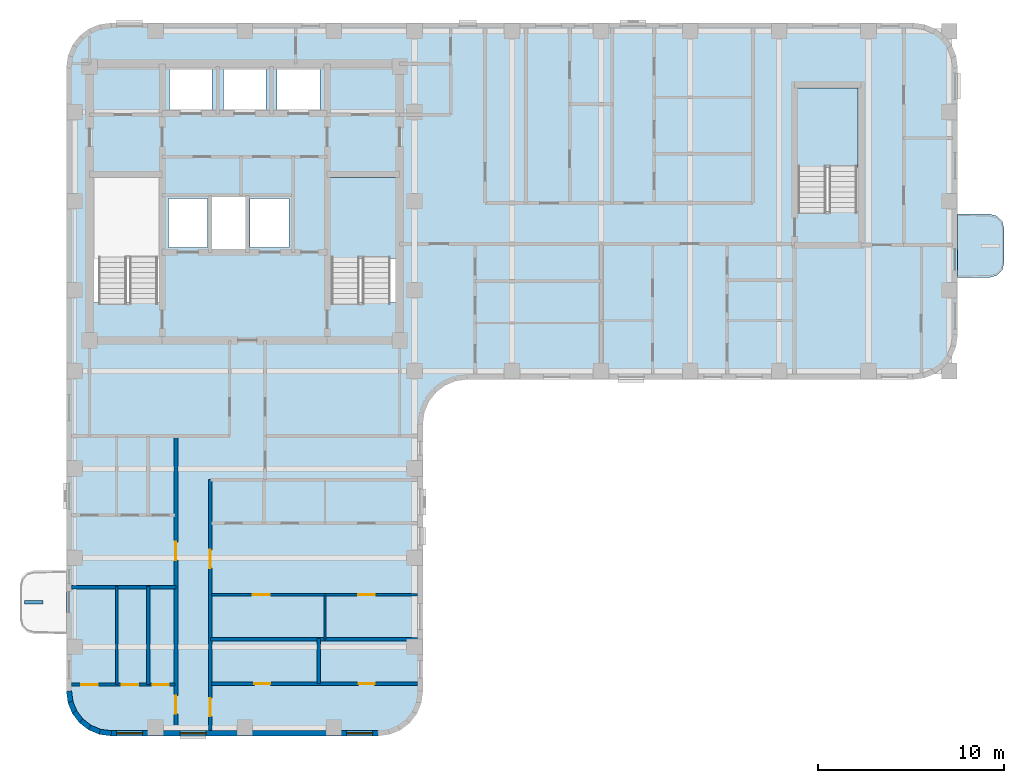
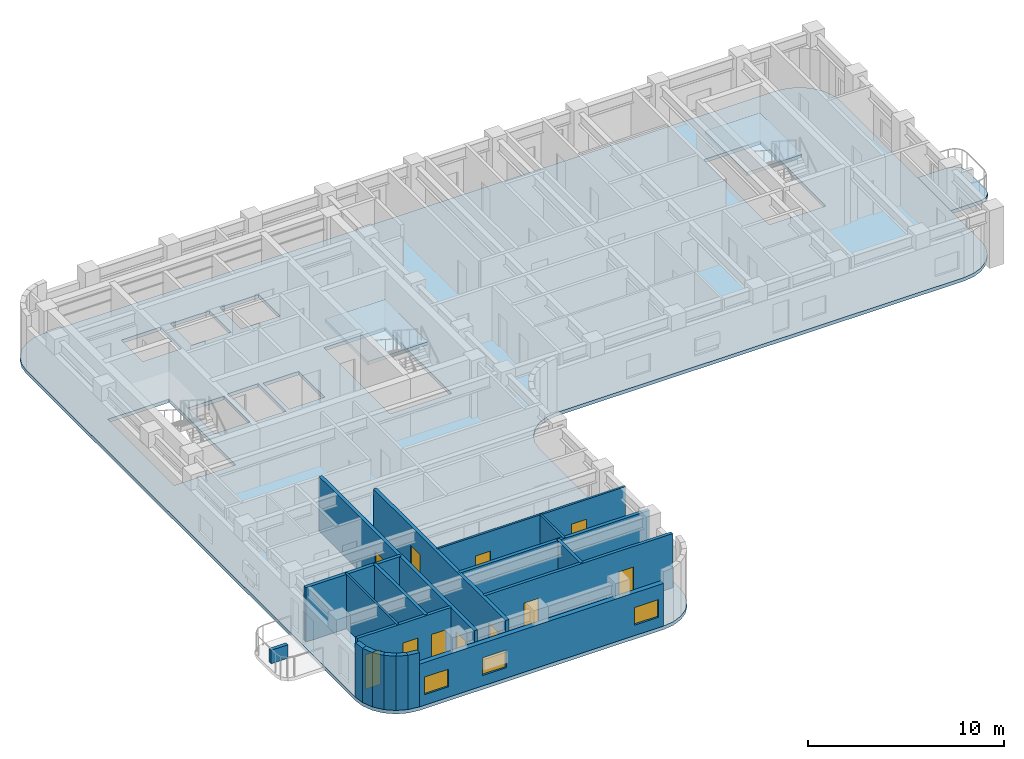
# One storey, part 2 of 10: 19 walls, 11 doors, 4 slabs, 3 windows, 14 openings, 2 elements without a shape of their own.
"""IFC4 building model written with IfcOpenShell, lengths in metres."""

from ifc_helpers import new_model, si_unit, direction, frame, frame_2d, origin, place, context, subcontext, project, spatial, polyline, rectangle, outline, extrude, material, layer, layer_set, type_object, element, fill, aggregate, save


model = new_model("IFC4")

# Units and contexts
model_context = context("Model", 3, precision=1e-05, world=origin(), true_north=direction((0.0, 1.0)))
body_context = subcontext(model_context, "Body", "Model", "MODEL_VIEW")
ifc_project = project(units=[si_unit("LENGTHUNIT", "METRE"), si_unit("AREAUNIT", "SQUARE_METRE"), si_unit("VOLUMEUNIT", "CUBIC_METRE"), si_unit("PLANEANGLEUNIT", "RADIAN"), si_unit("MASSUNIT", "GRAM", prefix="KILO")], contexts=[model_context])

# Site, building, storey
site_placement = place(None, origin())
site = spatial("IfcSite", under=ifc_project, at=site_placement, CompositionType="ELEMENT")
building_placement = place(site_placement, origin())
building = spatial("IfcBuilding", under=site, at=building_placement, Name="Orvandelia Arch Residences", CompositionType="ELEMENT")
storey_placement = place(building_placement, frame((0.0, 0.0, 225.39990234375)))
storey = spatial("IfcBuildingStorey", under=building, at=storey_placement, Name="L59", CompositionType="ELEMENT", Elevation=225.39990234375)

# Slab
ifc_material_1 = material(Name="Precast concrete C40/50", Category="concrete")
ifc_layer_1 = layer(ifc_material_1, 0.219970703125, Name="Precast concrete C40/50", Category="concrete")
ifc_layer_set_1 = layer_set([ifc_layer_1], Name="Precast concrete C40/50")
slab_type_1 = type_object("IfcSlabType", Name="SLB-BAL-220", PredefinedType="USERDEFINED", material=ifc_layer_set_1)
slab_1_placement = place(storey_placement, frame((0.0, 0.0, -0.219970703125)))
element("IfcSlab", 1, at=slab_1_placement, inside=storey, type_object=slab_type_1, Name="Tree Balcony Cantilever Slab BAL-L59-E1", ObjectType="BALCONY", PredefinedType="USERDEFINED", context=body_context, shape_type="SweptSolid", body=[
    extrude(outline(polyline([(52.800048828125, 37.699951171875), (52.800048828125, 34.300048828125), (54.550048828125, 34.300048828125), (54.925048828125, 34.400390625), (55.199462890625, 34.675048828125), (55.300048828125, 35.050048828125), (55.300048828125, 36.949951171875), (55.199462890625, 37.324951171875), (54.925048828125, 37.599609375), (54.550048828125, 37.699951171875), (52.800048828125, 37.699951171875)])), origin(), (0.0, 0.0, 1.0), 0.219970703125),
])

# Stair, slab
ifc_material_2 = material(Name="Concrete C40/50", Category="concrete")
stair_type = type_object("IfcStairType", Name="STAIR-RC-DOGLEG", PredefinedType="HALF_TURN_STAIR", material=ifc_material_2)
stair_1_placement = place(storey_placement, origin())
stair_1 = element("IfcStair", 2, at=stair_1_placement, inside=storey, type_object=stair_type, Name="L59 Protected Exit Stair ST-2", PredefinedType="HALF_TURN_STAIR")
ifc_layer_2 = layer(ifc_material_2, 0.219970703125, Name="Concrete C40/50", Category="concrete")
ifc_layer_set_2 = layer_set([ifc_layer_2], Name="Concrete C40/50")
slab_type_2 = type_object("IfcSlabType", Name="SLB-LANDING-220", PredefinedType="LANDING", material=ifc_layer_set_2)
slab_2_placement = place(storey_placement, frame((0.0, 0.0, 1.60009765625)))
slab_2 = element("IfcSlab", 3, at=slab_2_placement, type_object=slab_type_2, Name="ST-2 landing 1", PredefinedType="LANDING", context=body_context, shape_type="SweptSolid", body=[
    extrude(outline(polyline([(22.5400390625, 35.31005859375), (22.5400390625, 39.68994140625), (19.0, 39.68994140625), (19.0, 35.31005859375), (22.5400390625, 35.31005859375)])), origin(), (0.0, 0.0, 1.0), 0.199951171875),
])
aggregate(stair_1, [slab_2])

stair_2_placement = place(storey_placement, origin())
stair_2 = element("IfcStair", 4, at=stair_2_placement, inside=storey, type_object=stair_type, Name="L59 East Wing Exit Stair ST-3", PredefinedType="HALF_TURN_STAIR")
slab_3_placement = place(storey_placement, frame((0.0, 0.0, 1.60009765625)))
slab_3 = element("IfcSlab", 5, at=slab_3_placement, type_object=slab_type_2, Name="ST-3 landing 1", PredefinedType="LANDING", context=body_context, shape_type="SweptSolid", body=[
    extrude(outline(polyline([(47.43994140625, 40.2099609375), (47.43994140625, 44.5), (44.179931640625, 44.5), (44.179931640625, 40.2099609375), (47.43994140625, 40.2099609375)])), origin(), (0.0, 0.0, 1.0), 0.199951171875),
])
aggregate(stair_2, [slab_3])

# Slab
ifc_layer_3 = layer(ifc_material_2, 0.219970703125, Name="Concrete C40/50", Category="concrete")
ifc_layer_set_3 = layer_set([ifc_layer_3], Name="Concrete C40/50")
slab_type_3 = type_object("IfcSlabType", Name="SLB-TWR-220", PredefinedType="FLOOR", material=ifc_layer_set_3)
slab_4_placement = place(storey_placement, frame((0.0, 0.0, -0.219970703125)))
element("IfcSlab", 6, at=slab_4_placement, inside=storey, type_object=slab_type_3, Name="Structural Floor Slab L59-1", PredefinedType="FLOOR", context=body_context, shape_type="SweptSolid", body=[
    extrude(outline(polyline([(4.800048828125, 12.0), (4.8818359375, 11.37890625), (5.12158203125, 10.800048828125), (5.5029296875, 10.302978515625), (6.0, 9.92138671875), (6.578857421875, 9.681884765625), (7.199951171875, 9.60009765625), (21.60009765625, 9.60009765625), (22.22119140625, 9.681884765625), (22.800048828125, 9.92138671875), (23.297119140625, 10.302978515625), (23.678466796875, 10.800048828125), (23.918212890625, 11.37890625), (24.0, 12.0), (24.0, 26.39990234375), (24.081787109375, 27.021240234375), (24.321533203125, 27.60009765625), (24.702880859375, 28.09716796875), (25.199951171875, 28.478515625), (25.77880859375, 28.71826171875), (26.39990234375, 28.800048828125), (50.39990234375, 28.800048828125), (51.021240234375, 28.8818359375), (51.60009765625, 29.12158203125), (52.09716796875, 29.5029296875), (52.478515625, 30.0), (52.71826171875, 30.578857421875), (52.800048828125, 31.199951171875), (52.800048828125, 45.60009765625), (52.71826171875, 46.22119140625), (52.478515625, 46.800048828125), (52.09716796875, 47.297119140625), (51.60009765625, 47.678466796875), (51.021240234375, 47.918212890625), (50.39990234375, 48.0), (7.199951171875, 48.0), (6.578857421875, 47.918212890625), (6.0, 47.678466796875), (5.5029296875, 47.297119140625), (5.12158203125, 46.800048828125), (4.8818359375, 46.22119140625), (4.800048828125, 45.60009765625), (4.800048828125, 12.0)]), holes=[polyline([(6.219970703125, 32.949951171875), (9.840087890625, 32.949951171875), (9.840087890625, 39.72998046875), (6.219970703125, 39.72998046875), (6.219970703125, 32.949951171875)]), polyline([(18.9599609375, 32.949951171875), (22.580078125, 32.949951171875), (22.580078125, 39.72998046875), (18.9599609375, 39.72998046875), (18.9599609375, 32.949951171875)]), polyline([(44.139892578125, 37.85009765625), (47.47998046875, 37.85009765625), (47.47998046875, 44.5400390625), (44.139892578125, 44.5400390625), (44.139892578125, 37.85009765625)]), polyline([(12.639892578125, 35.81005859375), (14.4599609375, 35.81005859375), (14.4599609375, 38.639892578125), (12.639892578125, 38.639892578125), (12.639892578125, 35.81005859375)]), polyline([(10.300048828125, 35.89990234375), (12.39990234375, 35.89990234375), (12.39990234375, 38.550048828125), (10.300048828125, 38.550048828125), (10.300048828125, 35.89990234375)]), polyline([(14.699951171875, 35.89990234375), (16.800048828125, 35.89990234375), (16.800048828125, 38.550048828125), (14.699951171875, 38.550048828125), (14.699951171875, 35.89990234375)]), polyline([(10.35009765625, 43.300048828125), (12.64990234375, 43.300048828125), (12.64990234375, 45.5), (10.35009765625, 45.5), (10.35009765625, 43.300048828125)]), polyline([(13.25, 43.300048828125), (15.550048828125, 43.300048828125), (15.550048828125, 45.5), (13.25, 45.5), (13.25, 43.300048828125)]), polyline([(16.14990234375, 43.300048828125), (18.449951171875, 43.300048828125), (18.449951171875, 45.5), (16.14990234375, 45.5), (16.14990234375, 43.300048828125)])]), origin(), (0.0, 0.0, 1.0), 0.219970703125),
])

# Wall, openings, doors
ifc_material_3 = material(Name="Fire-Rated Corridor Partition")
ifc_layer_4 = layer(ifc_material_3, 0.199951171875, Name="Fire-Rated Corridor Partition")
ifc_layer_set_4 = layer_set([ifc_layer_4], Name="Fire-Rated Corridor Partition")
wall_type_1 = type_object("IfcWallType", Name="WL-CORR-200", PredefinedType="PARTITIONING", material=ifc_layer_set_4)
wall_1_placement = place(storey_placement, frame((10.699951171875, 9.8798828125, 0.0), z_axis=(0.0, 0.0, 1.0), x_axis=(0.0, 1.0, 0.0)))
wall_1 = element("IfcWall", 7, at=wall_1_placement, inside=storey, type_object=wall_type_1, Name="Interior Partition Wall WL-L59-WC-W", PredefinedType="PARTITIONING", context=body_context, shape_type="SweptSolid", body=[
    extrude(rectangle(XDim=15.8701171875, YDim=0.199951171875, at=frame_2d((7.93505859375, 0.0))), origin(), (0.0, 0.0, 1.0), 3.380126953125),
])
opening_1_placement = place(wall_1_placement, frame((0.903076171875, 0.0, 0.0)))
opening_1 = element("IfcOpeningElement", 8, at=opening_1_placement, cuts=wall_1, Name="Opening D1", PredefinedType="OPENING", context=body_context, shape_type="SweptSolid", body=[
    extrude(rectangle(XDim=0.97998046875, YDim=2.179931640625, at=frame_2d((0.489990234375, 1.08984375))), frame((0.0, 0.10986328125, 0.0), z_axis=(0.0, -1.0, 0.0), x_axis=(1.0, 0.0, 0.0)), (0.0, 0.0, 1.0), 0.219970703125),
])
opening_2_placement = place(wall_1_placement, frame((9.18994140625, 0.0, 0.0)))
opening_2 = element("IfcOpeningElement", 9, at=opening_2_placement, cuts=wall_1, Name="Opening D1", PredefinedType="OPENING", context=body_context, shape_type="SweptSolid", body=[
    extrude(rectangle(XDim=0.97998046875, YDim=2.179931640625, at=frame_2d((0.489990234375, 1.08984375))), frame((0.0, 0.10986328125, 0.0), z_axis=(0.0, -1.0, 0.0), x_axis=(1.0, 0.0, 0.0)), (0.0, 0.0, 1.0), 0.219970703125),
])
ifc_material_4 = material(Name="Solid-Core Timber Acoustic Fire Door", Category="wood")
door_type_1 = type_object("IfcDoorType", Name="DR-ENT-980", OperationType="NOTDEFINED", PredefinedType="DOOR", material=ifc_material_4)
door_1_placement = place(opening_1_placement, origin())
door_1 = element("IfcDoor", 10, at=door_1_placement, inside=storey, type_object=door_type_1, Name="Unit L59-01 Entrance Door", OperationType="SINGLE_SWING_LEFT", OverallHeight=2.179931640625, OverallWidth=0.97998046875, PredefinedType="DOOR", context=body_context, shape_type="SweptSolid", body=[
    extrude(rectangle(XDim=0.97998046875, YDim=2.179931640625, at=frame_2d((0.489990234375, 1.08984375))), frame((0.0, 0.02490234375, 0.0), z_axis=(0.0, -1.0, 0.0), x_axis=(1.0, 0.0, 0.0)), (0.0, 0.0, 1.0), 0.050048828125),
])
fill(opening_1, door_1)
door_2_placement = place(opening_2_placement, origin())
door_2 = element("IfcDoor", 11, at=door_2_placement, inside=storey, type_object=door_type_1, Name="Unit L59-02 Entrance Door", OperationType="SINGLE_SWING_RIGHT", OverallHeight=2.179931640625, OverallWidth=0.97998046875, PredefinedType="DOOR", context=body_context, shape_type="SweptSolid", body=[
    extrude(rectangle(XDim=0.97998046875, YDim=2.179931640625, at=frame_2d((0.489990234375, 1.08984375))), frame((0.0, 0.02490234375, 0.0), z_axis=(0.0, -1.0, 0.0), x_axis=(1.0, 0.0, 0.0)), (0.0, 0.0, 1.0), 0.050048828125),
])
fill(opening_2, door_2)

wall_2_placement = place(storey_placement, frame((12.550048828125, 9.8798828125, 0.0), z_axis=(0.0, 0.0, 1.0), x_axis=(0.0, 1.0, 0.0)))
wall_2 = element("IfcWall", 12, at=wall_2_placement, inside=storey, type_object=wall_type_1, Name="Interior Partition Wall WL-L59-WC-E", PredefinedType="PARTITIONING", context=body_context, shape_type="SweptSolid", body=[
    extrude(rectangle(XDim=13.52001953125, YDim=0.199951171875, at=frame_2d((6.760009765625, 0.0))), origin(), (0.0, 0.0, 1.0), 3.380126953125),
])
opening_3_placement = place(wall_2_placement, frame((0.77490234375, 0.0, 0.0)))
opening_3 = element("IfcOpeningElement", 13, at=opening_3_placement, cuts=wall_2, Name="Opening D1", PredefinedType="OPENING", context=body_context, shape_type="SweptSolid", body=[
    extrude(rectangle(XDim=0.97998046875, YDim=2.179931640625, at=frame_2d((0.489990234375, 1.08984375))), frame((0.0, 0.10986328125, 0.0), z_axis=(0.0, -1.0, 0.0), x_axis=(1.0, 0.0, 0.0)), (0.0, 0.0, 1.0), 0.219970703125),
])
opening_4_placement = place(wall_2_placement, frame((8.759033203125, 0.0, 0.0)))
opening_4 = element("IfcOpeningElement", 14, at=opening_4_placement, cuts=wall_2, Name="Opening D1", PredefinedType="OPENING", context=body_context, shape_type="SweptSolid", body=[
    extrude(rectangle(XDim=0.97998046875, YDim=2.179931640625, at=frame_2d((0.489990234375, 1.08984375))), frame((0.0, 0.10986328125, 0.0), z_axis=(0.0, -1.0, 0.0), x_axis=(1.0, 0.0, 0.0)), (0.0, 0.0, 1.0), 0.219970703125),
])
door_3_placement = place(opening_3_placement, origin())
door_3 = element("IfcDoor", 15, at=door_3_placement, inside=storey, type_object=door_type_1, Name="Unit L59-03 Entrance Door", OperationType="SINGLE_SWING_LEFT", OverallHeight=2.179931640625, OverallWidth=0.97998046875, PredefinedType="DOOR", context=body_context, shape_type="SweptSolid", body=[
    extrude(rectangle(XDim=0.97998046875, YDim=2.179931640625, at=frame_2d((0.489990234375, 1.08984375))), frame((0.0, 0.02490234375, 0.0), z_axis=(0.0, -1.0, 0.0), x_axis=(1.0, 0.0, 0.0)), (0.0, 0.0, 1.0), 0.050048828125),
])
fill(opening_3, door_3)
door_4_placement = place(opening_4_placement, origin())
door_4 = element("IfcDoor", 16, at=door_4_placement, inside=storey, type_object=door_type_1, Name="Unit L59-04 Entrance Door", OperationType="SINGLE_SWING_RIGHT", OverallHeight=2.179931640625, OverallWidth=0.97998046875, PredefinedType="DOOR", context=body_context, shape_type="SweptSolid", body=[
    extrude(rectangle(XDim=0.97998046875, YDim=2.179931640625, at=frame_2d((0.489990234375, 1.08984375))), frame((0.0, 0.02490234375, 0.0), z_axis=(0.0, -1.0, 0.0), x_axis=(1.0, 0.0, 0.0)), (0.0, 0.0, 1.0), 0.050048828125),
])
fill(opening_4, door_4)

# Walls
ifc_layer_5 = layer(ifc_material_2, 0.199951171875, Name="Concrete C40/50", Category="concrete")
ifc_layer_set_5 = layer_set([ifc_layer_5], Name="Concrete C40/50")
wall_type_2 = type_object("IfcWallType", Name="WL-DEM-200", PredefinedType="SOLIDWALL", material=ifc_layer_set_5)
wall_3_placement = place(storey_placement, frame((5.080078125, 17.60009765625, 0.0), z_axis=(0.0, 0.0, 1.0), x_axis=(1.0, 0.0, 0.0)))
element("IfcWall", 17, at=wall_3_placement, inside=storey, type_object=wall_type_2, Name="Interior Partition Wall WL-L59-DEM-WL-176", PredefinedType="SOLIDWALL", context=body_context, shape_type="SweptSolid", body=[
    extrude(rectangle(XDim=5.619873046875, YDim=0.199951171875, at=frame_2d((2.81005859375, 0.0))), origin(), (0.0, 0.0, 1.0), 3.380126953125),
])
wall_4_placement = place(storey_placement, frame((12.550048828125, 14.800048828125, 0.0), z_axis=(0.0, 0.0, 1.0), x_axis=(1.0, 0.0, 0.0)))
element("IfcWall", 18, at=wall_4_placement, inside=storey, type_object=wall_type_2, Name="Interior Partition Wall WL-L59-DEM-WR-148", PredefinedType="SOLIDWALL", context=body_context, shape_type="SweptSolid", body=[
    extrude(rectangle(XDim=11.169921875, YDim=0.199951171875, at=frame_2d((5.5849609375, 0.0))), origin(), (0.0, 0.0, 1.0), 3.380126953125),
])

# Wall, openings, windows
ifc_layer_6 = layer(ifc_material_1, 0.280029296875, Name="Precast concrete C40/50", Category="concrete")
ifc_layer_set_6 = layer_set([ifc_layer_6], Name="Precast concrete C40/50")
wall_type_3 = type_object("IfcWallType", Name="WL-EXT-STONE-280", PredefinedType="STANDARD", material=ifc_layer_set_6)
wall_5_placement = place(storey_placement, frame((21.60009765625, 9.739990234375, 0.0), z_axis=(0.0, 0.0, 1.0), x_axis=(-1.0, 0.0, 0.0)))
wall_5 = element("IfcWall", 19, at=wall_5_placement, inside=storey, type_object=wall_type_3, Name="Coral-Limestone Precast Facade Wall L59-035", PredefinedType="STANDARD", context=body_context, shape_type="SweptSolid", body=[
    extrude(rectangle(XDim=14.400146484375, YDim=0.280029296875, at=frame_2d((7.2001953125, 0.0))), origin(), (0.0, 0.0, 1.0), 2.66015625),
])
opening_5_placement = place(wall_5_placement, frame((0.3076171875, 0.0, 0.64990234375)))
opening_5 = element("IfcOpeningElement", 20, at=opening_5_placement, cuts=wall_5, Name="Opening W10", PredefinedType="OPENING", context=body_context, shape_type="SweptSolid", body=[
    extrude(rectangle(XDim=1.39990234375, YDim=1.10009765625, at=frame_2d((0.699951171875, 0.550048828125))), frame((0.0, 0.14990234375, 0.0), z_axis=(0.0, -1.0, 0.0), x_axis=(1.0, 0.0, 0.0)), (0.0, 0.0, 1.0), 0.300048828125),
])
opening_6_placement = place(wall_5_placement, frame((9.27490234375, 0.0, 0.64990234375)))
opening_6 = element("IfcOpeningElement", 21, at=opening_6_placement, cuts=wall_5, Name="Opening W10", PredefinedType="OPENING", context=body_context, shape_type="SweptSolid", body=[
    extrude(rectangle(XDim=1.39990234375, YDim=1.10009765625, at=frame_2d((0.699951171875, 0.550048828125))), frame((0.0, 0.14990234375, 0.0), z_axis=(0.0, -1.0, 0.0), x_axis=(1.0, 0.0, 0.0)), (0.0, 0.0, 1.0), 0.300048828125),
])
opening_7_placement = place(wall_5_placement, frame((12.6923828125, 0.0, 0.64990234375)))
opening_7 = element("IfcOpeningElement", 22, at=opening_7_placement, cuts=wall_5, Name="Opening W10", PredefinedType="OPENING", context=body_context, shape_type="SweptSolid", body=[
    extrude(rectangle(XDim=1.39990234375, YDim=1.10009765625, at=frame_2d((0.699951171875, 0.550048828125))), frame((0.0, 0.14990234375, 0.0), z_axis=(0.0, -1.0, 0.0), x_axis=(1.0, 0.0, 0.0)), (0.0, 0.0, 1.0), 0.300048828125),
])
ifc_material_5 = material(Name="Tempered Low-E Insulated Glazing", Category="glass")
window_type = type_object("IfcWindowType", Name="WIN-CLR-1400x1100", PartitioningType="SINGLE_PANEL", PredefinedType="WINDOW", material=ifc_material_5)
window_1_placement = place(opening_5_placement, origin())
window_1 = element("IfcWindow", 23, at=window_1_placement, inside=storey, type_object=window_type, Name="Recessed Punched Window L59-023", OverallHeight=1.10009765625, OverallWidth=1.39990234375, PartitioningType="SINGLE_PANEL", PredefinedType="WINDOW", context=body_context, shape_type="SweptSolid", body=[
    extrude(rectangle(XDim=1.39990234375, YDim=1.10009765625, at=frame_2d((0.699951171875, 0.550048828125))), frame((0.0, 0.030029296875, 0.0), z_axis=(0.0, -1.0, 0.0), x_axis=(1.0, 0.0, 0.0)), (0.0, 0.0, 1.0), 0.06005859375),
])
fill(opening_5, window_1)
window_2_placement = place(opening_6_placement, origin())
window_2 = element("IfcWindow", 24, at=window_2_placement, inside=storey, type_object=window_type, Name="Recessed Punched Window L59-024", OverallHeight=1.10009765625, OverallWidth=1.39990234375, PartitioningType="SINGLE_PANEL", PredefinedType="WINDOW", context=body_context, shape_type="SweptSolid", body=[
    extrude(rectangle(XDim=1.39990234375, YDim=1.10009765625, at=frame_2d((0.699951171875, 0.550048828125))), frame((0.0, 0.030029296875, 0.0), z_axis=(0.0, -1.0, 0.0), x_axis=(1.0, 0.0, 0.0)), (0.0, 0.0, 1.0), 0.06005859375),
])
fill(opening_6, window_2)
window_3_placement = place(opening_7_placement, origin())
window_3 = element("IfcWindow", 25, at=window_3_placement, inside=storey, type_object=window_type, Name="Recessed Punched Window L59-025", OverallHeight=1.10009765625, OverallWidth=1.39990234375, PartitioningType="SINGLE_PANEL", PredefinedType="WINDOW", context=body_context, shape_type="SweptSolid", body=[
    extrude(rectangle(XDim=1.39990234375, YDim=1.10009765625, at=frame_2d((0.699951171875, 0.550048828125))), frame((0.0, 0.030029296875, 0.0), z_axis=(0.0, -1.0, 0.0), x_axis=(1.0, 0.0, 0.0)), (0.0, 0.0, 1.0), 0.06005859375),
])
fill(opening_7, window_3)

# Walls
wall_6_placement = place(storey_placement, frame((7.21826171875, 9.73876953125, 0.0), z_axis=(0.0, 0.0, 1.0), x_axis=(-0.9914410257, 0.130555323746, 0.0)))
element("IfcWall", 26, at=wall_6_placement, inside=storey, type_object=wall_type_3, Name="Coral-Limestone Precast Facade Wall L59-036", PredefinedType="STANDARD", context=body_context, shape_type="SweptSolid", body=[
    extrude(rectangle(XDim=0.62646484375, YDim=0.280029296875, at=frame_2d((0.313232421875, 0.0))), origin(), (0.0, 0.0, 1.0), 3.380126953125),
])
wall_7_placement = place(storey_placement, frame((6.63232421875, 9.81103515625, 0.0), z_axis=(0.0, 0.0, 1.0), x_axis=(-0.923836271867, 0.382787856107, 0.0)))
element("IfcWall", 27, at=wall_7_placement, inside=storey, type_object=wall_type_3, Name="Coral-Limestone Precast Facade Wall L59-037", PredefinedType="STANDARD", context=body_context, shape_type="SweptSolid", body=[
    extrude(rectangle(XDim=0.626220703125, YDim=0.280029296875, at=frame_2d((0.31298828125, 0.0))), origin(), (0.0, 0.0, 1.0), 3.380126953125),
])
for number, where, z_axis, x_axis, name in (
    (28, (6.085205078125, 10.03271484375, 0.0), (0.0, 0.0, 1.0), (-0.793405610854, 0.608693302629, 0.0), "Coral-Limestone Precast Facade Wall L59-038"),
    (29, (5.614013671875, 10.38818359375, 0.0), (0.0, 0.0, 1.0), (-0.608693302629, 0.793405610854, 0.0), "Coral-Limestone Precast Facade Wall L59-039"),
    (30, (5.250732421875, 10.853515625, 0.0), (0.0, 0.0, 1.0), (-0.382650053678, 0.92389335771, 0.0), "Coral-Limestone Precast Facade Wall L59-040"),
    (31, (5.0205078125, 11.397216796875, 0.0), (0.0, 0.0, 1.0), (-0.130555323746, 0.9914410257, 0.0), "Coral-Limestone Precast Facade Wall L59-041"),
):
    element("IfcWall", number, at=place(storey_placement, frame(where, z_axis=z_axis, x_axis=x_axis)), inside=storey, type_object=wall_type_3, Name=name, PredefinedType="STANDARD", context=body_context, shape_type="SweptSolid", body=[
        extrude(rectangle(XDim=0.62646484375, YDim=0.280029296875, at=frame_2d((0.313232421875, 0.0))), origin(), (0.0, 0.0, 1.0), 3.380126953125),
    ])
ifc_material_6 = material(Name="Lightweight Gypsum Stud Partition")
ifc_layer_7 = layer(ifc_material_6, 0.1201171875, Name="Lightweight Gypsum Stud Partition")
ifc_layer_set_7 = layer_set([ifc_layer_7], Name="Lightweight Gypsum Stud Partition")
wall_type_4 = type_object("IfcWallType", Name="WL-PART-120", PredefinedType="PARTITIONING", material=ifc_layer_set_7)
wall_8_placement = place(storey_placement, frame((7.514892578125, 12.365966796875, 0.0), z_axis=(0.0, 0.0, 1.0), x_axis=(0.0, 1.0, 0.0)))
element("IfcWall", 32, at=wall_8_placement, inside=storey, type_object=wall_type_4, Name="Interior Partition Wall WL-L59-U01-V1", PredefinedType="PARTITIONING", context=body_context, shape_type="SweptSolid", body=[
    extrude(rectangle(XDim=5.27392578125, YDim=0.1201171875, at=frame_2d((2.636962890625, 0.0))), origin(), (0.0, 0.0, 1.0), 3.380126953125),
])

# Wall, openings, doors
wall_9_placement = place(storey_placement, frame((12.610107421875, 17.197998046875, 0.0), z_axis=(0.0, 0.0, 1.0), x_axis=(1.0, 0.0, 0.0)))
wall_9 = element("IfcWall", 33, at=wall_9_placement, inside=storey, type_object=wall_type_4, Name="Interior Partition Wall WL-L59-U04-HB", PredefinedType="PARTITIONING", context=body_context, shape_type="SweptSolid", body=[
    extrude(rectangle(XDim=11.10986328125, YDim=0.1201171875, at=frame_2d((5.554931640625, 0.0))), origin(), (0.0, 0.0, 1.0), 3.380126953125),
])
opening_8_placement = place(wall_9_placement, frame((2.2373046875, 0.0, 0.0)))
opening_8 = element("IfcOpeningElement", 34, at=opening_8_placement, cuts=wall_9, Name="Opening D3", PredefinedType="OPENING", context=body_context, shape_type="SweptSolid", body=[
    extrude(rectangle(XDim=0.89990234375, YDim=2.14990234375, at=frame_2d((0.449951171875, 1.074951171875))), frame((0.0, 0.070068359375, 0.0), z_axis=(0.0, -1.0, 0.0), x_axis=(1.0, 0.0, 0.0)), (0.0, 0.0, 1.0), 0.14013671875),
])
opening_9_placement = place(wall_9_placement, frame((7.903076171875, 0.0, 0.0)))
opening_9 = element("IfcOpeningElement", 35, at=opening_9_placement, cuts=wall_9, Name="Opening D3", PredefinedType="OPENING", context=body_context, shape_type="SweptSolid", body=[
    extrude(rectangle(XDim=0.89990234375, YDim=2.14990234375, at=frame_2d((0.449951171875, 1.074951171875))), frame((0.0, 0.070068359375, 0.0), z_axis=(0.0, -1.0, 0.0), x_axis=(1.0, 0.0, 0.0)), (0.0, 0.0, 1.0), 0.14013671875),
])
ifc_material_7 = material(Name="Engineered Timber Flush Door", Category="wood")
door_type_2 = type_object("IfcDoorType", Name="DR-INT-900", OperationType="NOTDEFINED", PredefinedType="DOOR", material=ifc_material_7)
door_5_placement = place(opening_8_placement, origin())
door_5 = element("IfcDoor", 36, at=door_5_placement, inside=storey, type_object=door_type_2, Name="DR-L59-U04-STDY", OperationType="SINGLE_SWING_RIGHT", OverallHeight=2.14990234375, OverallWidth=0.89990234375, PredefinedType="DOOR", context=body_context, shape_type="SweptSolid", body=[
    extrude(rectangle(XDim=0.89990234375, YDim=2.14990234375, at=frame_2d((0.449951171875, 1.074951171875))), frame((0.0, 0.02490234375, 0.0), z_axis=(0.0, -1.0, 0.0), x_axis=(1.0, 0.0, 0.0)), (0.0, 0.0, 1.0), 0.050048828125),
])
fill(opening_8, door_5)
door_6_placement = place(opening_9_placement, origin())
door_6 = element("IfcDoor", 37, at=door_6_placement, inside=storey, type_object=door_type_2, Name="DR-L59-U04-BD2", OperationType="SINGLE_SWING_LEFT", OverallHeight=2.14990234375, OverallWidth=0.89990234375, PredefinedType="DOOR", context=body_context, shape_type="SweptSolid", body=[
    extrude(rectangle(XDim=0.89990234375, YDim=2.14990234375, at=frame_2d((0.449951171875, 1.074951171875))), frame((0.0, 0.02490234375, 0.0), z_axis=(0.0, -1.0, 0.0), x_axis=(1.0, 0.0, 0.0)), (0.0, 0.0, 1.0), 0.050048828125),
])
fill(opening_9, door_6)

# Walls
wall_10_placement = place(storey_placement, frame((18.73193359375, 14.760009765625, 0.0), z_axis=(0.0, 0.0, 1.0), x_axis=(0.0, 1.0, 0.0)))
element("IfcWall", 38, at=wall_10_placement, inside=storey, type_object=wall_type_4, Name="Interior Partition Wall WL-L59-U04-VB", PredefinedType="PARTITIONING", context=body_context, shape_type="SweptSolid", body=[
    extrude(rectangle(XDim=2.43798828125, YDim=0.1201171875, at=frame_2d((1.218994140625, 0.0))), origin(), (0.0, 0.0, 1.0), 3.380126953125),
])
ifc_layer_8 = layer(ifc_material_1, 0.199951171875, Name="Precast concrete C40/50", Category="concrete")
ifc_layer_set_8 = layer_set([ifc_layer_8], Name="Precast concrete C40/50")
wall_type_5 = type_object("IfcWallType", Name="WL-PLANTER-200", PredefinedType="MOVABLE", material=ifc_layer_set_8)
wall_11_placement = place(storey_placement, frame((2.550048828125, 16.800048828125, 0.0), z_axis=(0.0, 0.0, 1.0), x_axis=(1.0, 0.0, 0.0)))
element("IfcWall", 39, at=wall_11_placement, inside=storey, type_object=wall_type_5, Name="Balcony Precast Tree Planter BAL-L59-W1", PredefinedType="MOVABLE", context=body_context, shape_type="SweptSolid", body=[
    extrude(rectangle(XDim=1.0, YDim=0.199951171875, at=frame_2d((0.5, 0.0))), origin(), (0.0, 0.0, 1.0), 0.85009765625),
])

# Wall, openings, doors
ifc_material_8 = material(Name="Moisture-Resistant Plumbing Wall")
ifc_layer_9 = layer(ifc_material_8, 0.179931640625, Name="Moisture-Resistant Plumbing Wall")
ifc_layer_set_9 = layer_set([ifc_layer_9], Name="Moisture-Resistant Plumbing Wall")
wall_type_6 = type_object("IfcWallType", Name="WL-WET-180", PredefinedType="PLUMBINGWALL", material=ifc_layer_set_9)
wall_12_placement = place(storey_placement, frame((5.080078125, 12.365966796875, 0.0), z_axis=(0.0, 0.0, 1.0), x_axis=(1.0, 0.0, 0.0)))
wall_12 = element("IfcWall", 40, at=wall_12_placement, inside=storey, type_object=wall_type_6, Name="Interior Partition Wall WL-L59-U01-HZ", PredefinedType="PLUMBINGWALL", context=body_context, shape_type="SweptSolid", body=[
    extrude(rectangle(XDim=5.559814453125, YDim=0.179931640625, at=frame_2d((2.77978515625, 0.0))), origin(), (0.0, 0.0, 1.0), 3.380126953125),
])
opening_10_placement = place(wall_12_placement, frame((0.51220703125, 0.0, 0.0)))
opening_10 = element("IfcOpeningElement", 41, at=opening_10_placement, cuts=wall_12, Name="Opening D3", PredefinedType="OPENING", context=body_context, shape_type="SweptSolid", body=[
    extrude(rectangle(XDim=0.89990234375, YDim=2.14990234375, at=frame_2d((0.449951171875, 1.074951171875))), frame((0.0, 0.10009765625, 0.0), z_axis=(0.0, -1.0, 0.0), x_axis=(1.0, 0.0, 0.0)), (0.0, 0.0, 1.0), 0.199951171875),
])
opening_11_placement = place(wall_12_placement, frame((2.695068359375, 0.0, 0.0)))
opening_11 = element("IfcOpeningElement", 42, at=opening_11_placement, cuts=wall_12, Name="Opening D3", PredefinedType="OPENING", context=body_context, shape_type="SweptSolid", body=[
    extrude(rectangle(XDim=0.89990234375, YDim=2.14990234375, at=frame_2d((0.449951171875, 1.074951171875))), frame((0.0, 0.10009765625, 0.0), z_axis=(0.0, -1.0, 0.0), x_axis=(1.0, 0.0, 0.0)), (0.0, 0.0, 1.0), 0.199951171875),
])
opening_12_placement = place(wall_12_placement, frame((4.382080078125, 0.0, 0.0)))
opening_12 = element("IfcOpeningElement", 43, at=opening_12_placement, cuts=wall_12, Name="Opening D4", PredefinedType="OPENING", context=body_context, shape_type="SweptSolid", body=[
    extrude(rectangle(XDim=0.860107421875, YDim=2.10009765625, at=frame_2d((0.43017578125, 1.050048828125))), frame((0.0, 0.10009765625, 0.0), z_axis=(0.0, -1.0, 0.0), x_axis=(1.0, 0.0, 0.0)), (0.0, 0.0, 1.0), 0.199951171875),
])
door_7_placement = place(opening_10_placement, origin())
door_7 = element("IfcDoor", 44, at=door_7_placement, inside=storey, type_object=door_type_2, Name="DR-L59-U01-BD1", OperationType="SINGLE_SWING_LEFT", OverallHeight=2.14990234375, OverallWidth=0.89990234375, PredefinedType="DOOR", context=body_context, shape_type="SweptSolid", body=[
    extrude(rectangle(XDim=0.89990234375, YDim=2.14990234375, at=frame_2d((0.449951171875, 1.074951171875))), frame((0.0, 0.02490234375, 0.0), z_axis=(0.0, -1.0, 0.0), x_axis=(1.0, 0.0, 0.0)), (0.0, 0.0, 1.0), 0.050048828125),
])
fill(opening_10, door_7)
door_8_placement = place(opening_11_placement, origin())
door_8 = element("IfcDoor", 45, at=door_8_placement, inside=storey, type_object=door_type_2, Name="DR-L59-U01-KIT", OperationType="SINGLE_SWING_RIGHT", OverallHeight=2.14990234375, OverallWidth=0.89990234375, PredefinedType="DOOR", context=body_context, shape_type="SweptSolid", body=[
    extrude(rectangle(XDim=0.89990234375, YDim=2.14990234375, at=frame_2d((0.449951171875, 1.074951171875))), frame((0.0, 0.02490234375, 0.0), z_axis=(0.0, -1.0, 0.0), x_axis=(1.0, 0.0, 0.0)), (0.0, 0.0, 1.0), 0.050048828125),
])
fill(opening_11, door_8)
ifc_material_9 = material(Name="Moisture-Sealed Timber Bathroom Door", Category="wood")
door_type_3 = type_object("IfcDoorType", Name="DR-WET-900", OperationType="NOTDEFINED", PredefinedType="DOOR", material=ifc_material_9)
door_9_placement = place(opening_12_placement, origin())
door_9 = element("IfcDoor", 46, at=door_9_placement, inside=storey, type_object=door_type_3, Name="DR-L59-U01-BTH", OperationType="SINGLE_SWING_LEFT", OverallHeight=2.10009765625, OverallWidth=0.860107421875, PredefinedType="DOOR", context=body_context, shape_type="SweptSolid", body=[
    extrude(rectangle(XDim=0.860107421875, YDim=2.10009765625, at=frame_2d((0.43017578125, 1.050048828125))), frame((0.0, 0.02490234375, 0.0), z_axis=(0.0, -1.0, 0.0), x_axis=(1.0, 0.0, 0.0)), (0.0, 0.0, 1.0), 0.050048828125),
])
fill(opening_12, door_9)

# Wall
wall_13_placement = place(storey_placement, frame((9.201904296875, 12.365966796875, 0.0), z_axis=(0.0, 0.0, 1.0), x_axis=(0.0, 1.0, 0.0)))
element("IfcWall", 47, at=wall_13_placement, inside=storey, type_object=wall_type_6, Name="Interior Partition Wall WL-L59-U01-V2", PredefinedType="PLUMBINGWALL", context=body_context, shape_type="SweptSolid", body=[
    extrude(rectangle(XDim=5.27392578125, YDim=0.179931640625, at=frame_2d((2.636962890625, 0.0))), origin(), (0.0, 0.0, 1.0), 3.380126953125),
])

# Wall, openings, doors
wall_14_placement = place(storey_placement, frame((12.610107421875, 12.409912109375, 0.0), z_axis=(0.0, 0.0, 1.0), x_axis=(1.0, 0.0, 0.0)))
wall_14 = element("IfcWall", 48, at=wall_14_placement, inside=storey, type_object=wall_type_6, Name="Interior Partition Wall WL-L59-U03-HZ", PredefinedType="PLUMBINGWALL", context=body_context, shape_type="SweptSolid", body=[
    extrude(rectangle(XDim=11.10986328125, YDim=0.179931640625, at=frame_2d((5.554931640625, 0.0))), origin(), (0.0, 0.0, 1.0), 3.380126953125),
])
opening_13_placement = place(wall_14_placement, frame((2.319091796875, 0.0, 0.0)))
opening_13 = element("IfcOpeningElement", 49, at=opening_13_placement, cuts=wall_14, Name="Opening D4", PredefinedType="OPENING", context=body_context, shape_type="SweptSolid", body=[
    extrude(rectangle(XDim=0.860107421875, YDim=2.10009765625, at=frame_2d((0.43017578125, 1.050048828125))), frame((0.0, 0.10009765625, 0.0), z_axis=(0.0, -1.0, 0.0), x_axis=(1.0, 0.0, 0.0)), (0.0, 0.0, 1.0), 0.199951171875),
])
opening_14_placement = place(wall_14_placement, frame((7.93408203125, 0.0, 0.0)))
opening_14 = element("IfcOpeningElement", 50, at=opening_14_placement, cuts=wall_14, Name="Opening D4", PredefinedType="OPENING", context=body_context, shape_type="SweptSolid", body=[
    extrude(rectangle(XDim=0.860107421875, YDim=2.10009765625, at=frame_2d((0.43017578125, 1.050048828125))), frame((0.0, 0.10009765625, 0.0), z_axis=(0.0, -1.0, 0.0), x_axis=(1.0, 0.0, 0.0)), (0.0, 0.0, 1.0), 0.199951171875),
])
door_10_placement = place(opening_13_placement, origin())
door_10 = element("IfcDoor", 51, at=door_10_placement, inside=storey, type_object=door_type_3, Name="DR-L59-U03-KIT", OperationType="SINGLE_SWING_LEFT", OverallHeight=2.10009765625, OverallWidth=0.860107421875, PredefinedType="DOOR", context=body_context, shape_type="SweptSolid", body=[
    extrude(rectangle(XDim=0.860107421875, YDim=2.10009765625, at=frame_2d((0.43017578125, 1.050048828125))), frame((0.0, 0.02490234375, 0.0), z_axis=(0.0, -1.0, 0.0), x_axis=(1.0, 0.0, 0.0)), (0.0, 0.0, 1.0), 0.050048828125),
])
fill(opening_13, door_10)
door_11_placement = place(opening_14_placement, origin())
door_11 = element("IfcDoor", 52, at=door_11_placement, inside=storey, type_object=door_type_3, Name="DR-L59-U03-BTH", OperationType="SINGLE_SWING_RIGHT", OverallHeight=2.10009765625, OverallWidth=0.860107421875, PredefinedType="DOOR", context=body_context, shape_type="SweptSolid", body=[
    extrude(rectangle(XDim=0.860107421875, YDim=2.10009765625, at=frame_2d((0.43017578125, 1.050048828125))), frame((0.0, 0.02490234375, 0.0), z_axis=(0.0, -1.0, 0.0), x_axis=(1.0, 0.0, 0.0)), (0.0, 0.0, 1.0), 0.050048828125),
])
fill(opening_14, door_11)

# Wall
wall_15_placement = place(storey_placement, frame((18.39794921875, 12.409912109375, 0.0), z_axis=(0.0, 0.0, 1.0), x_axis=(0.0, 1.0, 0.0)))
element("IfcWall", 53, at=wall_15_placement, inside=storey, type_object=wall_type_6, Name="Interior Partition Wall WL-L59-U03-V1", PredefinedType="PLUMBINGWALL", context=body_context, shape_type="SweptSolid", body=[
    extrude(rectangle(XDim=2.43017578125, YDim=0.179931640625, at=frame_2d((1.215087890625, 0.0))), origin(), (0.0, 0.0, 1.0), 3.380126953125),
])

save(model, "model.ifc")
